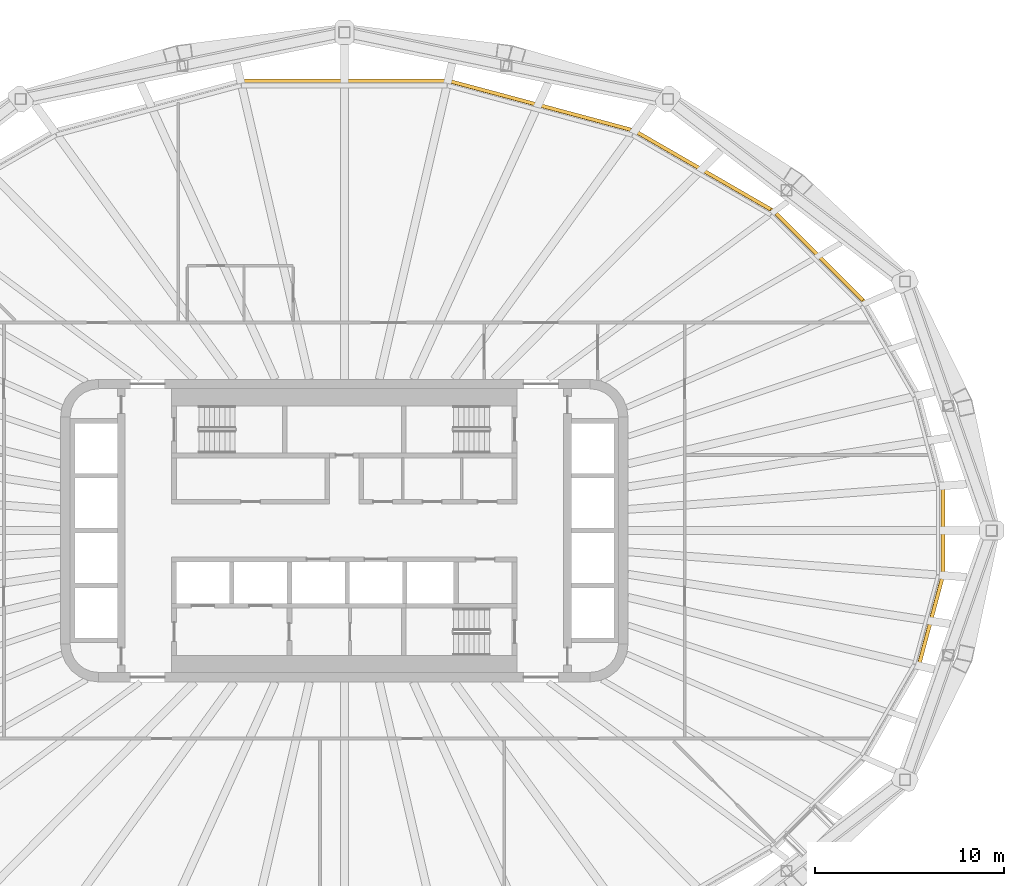
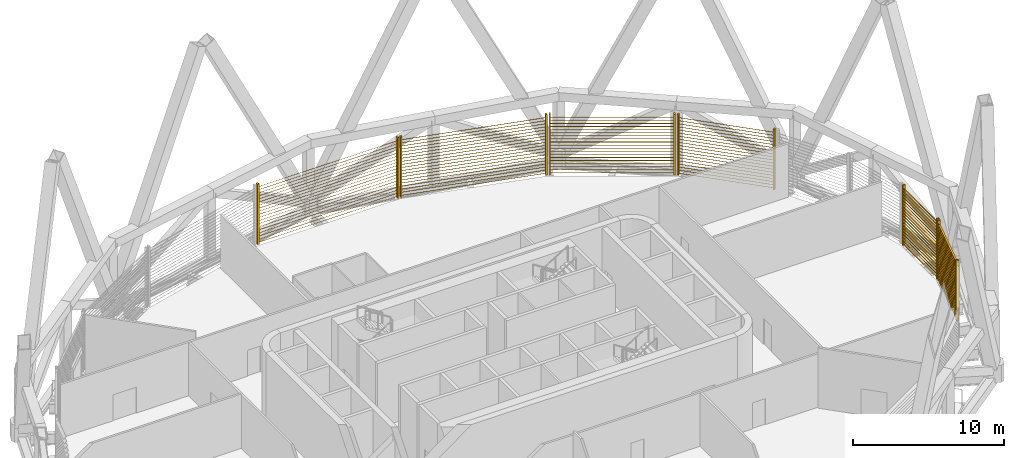
# One storey, part 17 of 18: 6 shading devices.
"""IFC4 building model written with IfcOpenShell, lengths in metres."""

from ifc_helpers import new_model, si_unit, direction, frame, origin, origin_2d, place, context, subcontext, project, spatial, rectangle, extrude, material, type_object, element, save


model = new_model("IFC4")

# Units and contexts
model_context = context("Model", 3, precision=1e-05, world=origin(), true_north=direction((0.0, 1.0)))
body_context = subcontext(model_context, "Body", "Model", "MODEL_VIEW")
ifc_project = project(units=[si_unit("LENGTHUNIT", "METRE"), si_unit("AREAUNIT", "SQUARE_METRE"), si_unit("VOLUMEUNIT", "CUBIC_METRE"), si_unit("PLANEANGLEUNIT", "RADIAN"), si_unit("MASSUNIT", "GRAM", prefix="KILO")], contexts=[model_context])

# Site, building, storey
site_placement = place(None, origin())
site = spatial("IfcSite", under=ifc_project, at=site_placement, CompositionType="ELEMENT")
building_placement = place(site_placement, origin())
building = spatial("IfcBuilding", under=site, at=building_placement, Name="Sahrelin Media Tower", CompositionType="ELEMENT")
storey_placement = place(building_placement, frame((0.0, 0.0, 148.199951171875)))
storey = spatial("IfcBuildingStorey", under=building, at=storey_placement, Name="L30", CompositionType="ELEMENT", Elevation=148.199951171875)

# Shading devices
ifc_material = material(Name="Champagne anodised aluminium 6063-T6", Category="aluminium")
shading_device_type = type_object("IfcShadingDeviceType", Name="Sand-rejection louvre band", PredefinedType="USERDEFINED", material=ifc_material)
shading_device_1_placement = place(storey_placement, frame((31.546630859375, 0.0, 0.0), z_axis=(0.0, 0.0, 1.0), x_axis=(0.0, -1.0, 0.0)))
element("IfcShadingDevice", 1, at=shading_device_1_placement, inside=storey, type_object=shading_device_type, Name="L30:LOUVRE:L30-00", ObjectType="LOUVRE", PredefinedType="USERDEFINED", context=body_context, shape_type="SweptSolid", body=[
    extrude(rectangle(XDim=0.1201171875, YDim=0.199951171875, at=origin_2d()), frame((2.248291015625, 0.10009765625, 0.050048828125), z_axis=(0.0, 0.0, 1.0), x_axis=(1.0, 0.0, 0.0)), (0.0, 0.0, 1.0), 4.8984375),
    extrude(rectangle(XDim=0.1201171875, YDim=0.199951171875, at=origin_2d()), frame((-2.248291015625, 0.10009765625, 0.050048828125), z_axis=(0.0, 0.0, 1.0), x_axis=(1.0, 0.0, 0.0)), (0.0, 0.0, 1.0), 4.8984375),
    extrude(rectangle(XDim=0.25, YDim=0.02001953125, at=origin_2d()), frame((2.188232421875, 0.10009765625, 0.14990234375), z_axis=(-1.0, 0.0, 0.0), x_axis=(0.0, -0.766044443119, 0.642787609687)), (0.0, 0.0, 1.0), 4.37646484375),
    extrude(rectangle(XDim=0.25, YDim=0.02001953125, at=origin_2d()), frame((2.188232421875, 0.10009765625, 0.39990234375), z_axis=(-1.0, 0.0, 0.0), x_axis=(0.0, -0.766044443119, 0.642787609687)), (0.0, 0.0, 1.0), 4.37646484375),
    extrude(rectangle(XDim=0.25, YDim=0.02001953125, at=origin_2d()), frame((2.188232421875, 0.10009765625, 0.64990234375), z_axis=(-1.0, 0.0, 0.0), x_axis=(0.0, -0.766044443119, 0.642787609687)), (0.0, 0.0, 1.0), 4.37646484375),
    extrude(rectangle(XDim=0.25, YDim=0.02001953125, at=origin_2d()), frame((2.188232421875, 0.10009765625, 0.89990234375), z_axis=(-1.0, 0.0, 0.0), x_axis=(0.0, -0.766044443119, 0.642787609687)), (0.0, 0.0, 1.0), 4.37646484375),
    extrude(rectangle(XDim=0.25, YDim=0.02001953125, at=origin_2d()), frame((2.188232421875, 0.10009765625, 1.14990234375), z_axis=(-1.0, 0.0, 0.0), x_axis=(0.0, -0.766044443119, 0.642787609687)), (0.0, 0.0, 1.0), 4.37646484375),
    extrude(rectangle(XDim=0.25, YDim=0.02001953125, at=origin_2d()), frame((2.188232421875, 0.10009765625, 1.39990234375), z_axis=(-1.0, 0.0, 0.0), x_axis=(0.0, -0.766044443119, 0.642787609687)), (0.0, 0.0, 1.0), 4.37646484375),
    extrude(rectangle(XDim=0.25, YDim=0.02001953125, at=origin_2d()), frame((2.188232421875, 0.10009765625, 1.64990234375), z_axis=(-1.0, 0.0, 0.0), x_axis=(0.0, -0.766044443119, 0.642787609687)), (0.0, 0.0, 1.0), 4.37646484375),
    extrude(rectangle(XDim=0.25, YDim=0.02001953125, at=origin_2d()), frame((2.188232421875, 0.10009765625, 1.89990234375), z_axis=(-1.0, 0.0, 0.0), x_axis=(0.0, -0.766044443119, 0.642787609687)), (0.0, 0.0, 1.0), 4.37646484375),
    extrude(rectangle(XDim=0.25, YDim=0.02001953125, at=origin_2d()), frame((2.188232421875, 0.10009765625, 2.14990234375), z_axis=(-1.0, 0.0, 0.0), x_axis=(0.0, -0.766044443119, 0.642787609687)), (0.0, 0.0, 1.0), 4.37646484375),
    extrude(rectangle(XDim=0.25, YDim=0.02001953125, at=origin_2d()), frame((2.188232421875, 0.10009765625, 2.39990234375), z_axis=(-1.0, 0.0, 0.0), x_axis=(0.0, -0.766044443119, 0.642787609687)), (0.0, 0.0, 1.0), 4.37646484375),
    extrude(rectangle(XDim=0.25, YDim=0.02001953125, at=origin_2d()), frame((2.188232421875, 0.10009765625, 2.64990234375), z_axis=(-1.0, 0.0, 0.0), x_axis=(0.0, -0.766044443119, 0.642787609687)), (0.0, 0.0, 1.0), 4.37646484375),
    extrude(rectangle(XDim=0.25, YDim=0.02001953125, at=origin_2d()), frame((2.188232421875, 0.10009765625, 2.89990234375), z_axis=(-1.0, 0.0, 0.0), x_axis=(0.0, -0.766044443119, 0.642787609687)), (0.0, 0.0, 1.0), 4.37646484375),
    extrude(rectangle(XDim=0.25, YDim=0.02001953125, at=origin_2d()), frame((2.188232421875, 0.10009765625, 3.14990234375), z_axis=(-1.0, 0.0, 0.0), x_axis=(0.0, -0.766044443119, 0.642787609687)), (0.0, 0.0, 1.0), 4.37646484375),
    extrude(rectangle(XDim=0.25, YDim=0.02001953125, at=origin_2d()), frame((2.188232421875, 0.10009765625, 3.39990234375), z_axis=(-1.0, 0.0, 0.0), x_axis=(0.0, -0.766044443119, 0.642787609687)), (0.0, 0.0, 1.0), 4.37646484375),
    extrude(rectangle(XDim=0.25, YDim=0.02001953125, at=origin_2d()), frame((2.188232421875, 0.10009765625, 3.64990234375), z_axis=(-1.0, 0.0, 0.0), x_axis=(0.0, -0.766044443119, 0.642787609687)), (0.0, 0.0, 1.0), 4.37646484375),
    extrude(rectangle(XDim=0.25, YDim=0.02001953125, at=origin_2d()), frame((2.188232421875, 0.10009765625, 3.89990234375), z_axis=(-1.0, 0.0, 0.0), x_axis=(0.0, -0.766044443119, 0.642787609687)), (0.0, 0.0, 1.0), 4.37646484375),
    extrude(rectangle(XDim=0.25, YDim=0.02001953125, at=origin_2d()), frame((2.188232421875, 0.10009765625, 4.14990234375), z_axis=(-1.0, 0.0, 0.0), x_axis=(0.0, -0.766044443119, 0.642787609687)), (0.0, 0.0, 1.0), 4.37646484375),
    extrude(rectangle(XDim=0.25, YDim=0.02001953125, at=origin_2d()), frame((2.188232421875, 0.10009765625, 4.39990234375), z_axis=(-1.0, 0.0, 0.0), x_axis=(0.0, -0.766044443119, 0.642787609687)), (0.0, 0.0, 1.0), 4.37646484375),
    extrude(rectangle(XDim=0.25, YDim=0.02001953125, at=origin_2d()), frame((2.188232421875, 0.10009765625, 4.64990234375), z_axis=(-1.0, 0.0, 0.0), x_axis=(0.0, -0.766044443119, 0.642787609687)), (0.0, 0.0, 1.0), 4.37646484375),
])
shading_device_2_placement = place(storey_placement, frame((25.05419921875, 14.392578125, 0.0), z_axis=(0.0, 0.0, 1.0), x_axis=(0.707106781187, -0.707106781187, 0.0)))
element("IfcShadingDevice", 2, at=shading_device_2_placement, inside=storey, type_object=shading_device_type, Name="L30:LOUVRE:L30-03", ObjectType="LOUVRE", PredefinedType="USERDEFINED", context=body_context, shape_type="SweptSolid", body=[
    extrude(rectangle(XDim=0.1201171875, YDim=0.199951171875, at=origin_2d()), frame((3.298095703125, 0.10009765625, 0.050048828125), z_axis=(0.0, 0.0, 1.0), x_axis=(1.0, 0.0, 0.0)), (0.0, 0.0, 1.0), 4.8984375),
    extrude(rectangle(XDim=0.1201171875, YDim=0.199951171875, at=origin_2d()), frame((-3.298095703125, 0.10009765625, 0.050048828125), z_axis=(0.0, 0.0, 1.0), x_axis=(1.0, 0.0, 0.0)), (0.0, 0.0, 1.0), 4.8984375),
    extrude(rectangle(XDim=0.25, YDim=0.02001953125, at=origin_2d()), frame((3.23828125, 0.10009765625, 0.14990234375), z_axis=(-1.0, 0.0, 0.0), x_axis=(0.0, -0.766044443119, 0.642787609687)), (0.0, 0.0, 1.0), 6.4765625),
    extrude(rectangle(XDim=0.25, YDim=0.02001953125, at=origin_2d()), frame((3.23828125, 0.10009765625, 0.39990234375), z_axis=(-1.0, 0.0, 0.0), x_axis=(0.0, -0.766044443119, 0.642787609687)), (0.0, 0.0, 1.0), 6.4765625),
    extrude(rectangle(XDim=0.25, YDim=0.02001953125, at=origin_2d()), frame((3.23828125, 0.10009765625, 0.64990234375), z_axis=(-1.0, 0.0, 0.0), x_axis=(0.0, -0.766044443119, 0.642787609687)), (0.0, 0.0, 1.0), 6.4765625),
    extrude(rectangle(XDim=0.25, YDim=0.02001953125, at=origin_2d()), frame((3.23828125, 0.10009765625, 0.89990234375), z_axis=(-1.0, 0.0, 0.0), x_axis=(0.0, -0.766044443119, 0.642787609687)), (0.0, 0.0, 1.0), 6.4765625),
    extrude(rectangle(XDim=0.25, YDim=0.02001953125, at=origin_2d()), frame((3.23828125, 0.10009765625, 1.14990234375), z_axis=(-1.0, 0.0, 0.0), x_axis=(0.0, -0.766044443119, 0.642787609687)), (0.0, 0.0, 1.0), 6.4765625),
    extrude(rectangle(XDim=0.25, YDim=0.02001953125, at=origin_2d()), frame((3.23828125, 0.10009765625, 1.39990234375), z_axis=(-1.0, 0.0, 0.0), x_axis=(0.0, -0.766044443119, 0.642787609687)), (0.0, 0.0, 1.0), 6.4765625),
    extrude(rectangle(XDim=0.25, YDim=0.02001953125, at=origin_2d()), frame((3.23828125, 0.10009765625, 1.64990234375), z_axis=(-1.0, 0.0, 0.0), x_axis=(0.0, -0.766044443119, 0.642787609687)), (0.0, 0.0, 1.0), 6.4765625),
    extrude(rectangle(XDim=0.25, YDim=0.02001953125, at=origin_2d()), frame((3.23828125, 0.10009765625, 1.89990234375), z_axis=(-1.0, 0.0, 0.0), x_axis=(0.0, -0.766044443119, 0.642787609687)), (0.0, 0.0, 1.0), 6.4765625),
    extrude(rectangle(XDim=0.25, YDim=0.02001953125, at=origin_2d()), frame((3.23828125, 0.10009765625, 2.14990234375), z_axis=(-1.0, 0.0, 0.0), x_axis=(0.0, -0.766044443119, 0.642787609687)), (0.0, 0.0, 1.0), 6.4765625),
    extrude(rectangle(XDim=0.25, YDim=0.02001953125, at=origin_2d()), frame((3.23828125, 0.10009765625, 2.39990234375), z_axis=(-1.0, 0.0, 0.0), x_axis=(0.0, -0.766044443119, 0.642787609687)), (0.0, 0.0, 1.0), 6.4765625),
    extrude(rectangle(XDim=0.25, YDim=0.02001953125, at=origin_2d()), frame((3.23828125, 0.10009765625, 2.64990234375), z_axis=(-1.0, 0.0, 0.0), x_axis=(0.0, -0.766044443119, 0.642787609687)), (0.0, 0.0, 1.0), 6.4765625),
    extrude(rectangle(XDim=0.25, YDim=0.02001953125, at=origin_2d()), frame((3.23828125, 0.10009765625, 2.89990234375), z_axis=(-1.0, 0.0, 0.0), x_axis=(0.0, -0.766044443119, 0.642787609687)), (0.0, 0.0, 1.0), 6.4765625),
    extrude(rectangle(XDim=0.25, YDim=0.02001953125, at=origin_2d()), frame((3.23828125, 0.10009765625, 3.14990234375), z_axis=(-1.0, 0.0, 0.0), x_axis=(0.0, -0.766044443119, 0.642787609687)), (0.0, 0.0, 1.0), 6.4765625),
    extrude(rectangle(XDim=0.25, YDim=0.02001953125, at=origin_2d()), frame((3.23828125, 0.10009765625, 3.39990234375), z_axis=(-1.0, 0.0, 0.0), x_axis=(0.0, -0.766044443119, 0.642787609687)), (0.0, 0.0, 1.0), 6.4765625),
    extrude(rectangle(XDim=0.25, YDim=0.02001953125, at=origin_2d()), frame((3.23828125, 0.10009765625, 3.64990234375), z_axis=(-1.0, 0.0, 0.0), x_axis=(0.0, -0.766044443119, 0.642787609687)), (0.0, 0.0, 1.0), 6.4765625),
    extrude(rectangle(XDim=0.25, YDim=0.02001953125, at=origin_2d()), frame((3.23828125, 0.10009765625, 3.89990234375), z_axis=(-1.0, 0.0, 0.0), x_axis=(0.0, -0.766044443119, 0.642787609687)), (0.0, 0.0, 1.0), 6.4765625),
    extrude(rectangle(XDim=0.25, YDim=0.02001953125, at=origin_2d()), frame((3.23828125, 0.10009765625, 4.14990234375), z_axis=(-1.0, 0.0, 0.0), x_axis=(0.0, -0.766044443119, 0.642787609687)), (0.0, 0.0, 1.0), 6.4765625),
    extrude(rectangle(XDim=0.25, YDim=0.02001953125, at=origin_2d()), frame((3.23828125, 0.10009765625, 4.39990234375), z_axis=(-1.0, 0.0, 0.0), x_axis=(0.0, -0.766044443119, 0.642787609687)), (0.0, 0.0, 1.0), 6.4765625),
    extrude(rectangle(XDim=0.25, YDim=0.02001953125, at=origin_2d()), frame((3.23828125, 0.10009765625, 4.64990234375), z_axis=(-1.0, 0.0, 0.0), x_axis=(0.0, -0.766044443119, 0.642787609687)), (0.0, 0.0, 1.0), 6.4765625),
])
shading_device_3_placement = place(storey_placement, frame((18.966552734375, 18.926025390625, 0.0), z_axis=(0.0, 0.0, 1.0), x_axis=(0.866019052629, -0.500011000363, 0.0)))
element("IfcShadingDevice", 3, at=shading_device_3_placement, inside=storey, type_object=shading_device_type, Name="L30:LOUVRE:L30-04", ObjectType="LOUVRE", PredefinedType="USERDEFINED", context=body_context, shape_type="SweptSolid", body=[
    extrude(rectangle(XDim=0.1201171875, YDim=0.199951171875, at=origin_2d()), frame((4.136474609375, 0.10009765625, 0.050048828125), z_axis=(0.0, 0.0, 1.0), x_axis=(1.0, 0.0, 0.0)), (0.0, 0.0, 1.0), 4.8984375),
    extrude(rectangle(XDim=0.1201171875, YDim=0.199951171875, at=origin_2d()), frame((-4.136474609375, 0.10009765625, 0.050048828125), z_axis=(0.0, 0.0, 1.0), x_axis=(1.0, 0.0, 0.0)), (0.0, 0.0, 1.0), 4.8984375),
    extrude(rectangle(XDim=0.25, YDim=0.02001953125, at=origin_2d()), frame((4.076416015625, 0.10009765625, 0.14990234375), z_axis=(-1.0, 0.0, 0.0), x_axis=(0.0, -0.766044443119, 0.642787609687)), (0.0, 0.0, 1.0), 8.15283203125),
    extrude(rectangle(XDim=0.25, YDim=0.02001953125, at=origin_2d()), frame((4.076416015625, 0.10009765625, 0.39990234375), z_axis=(-1.0, 0.0, 0.0), x_axis=(0.0, -0.766044443119, 0.642787609687)), (0.0, 0.0, 1.0), 8.15283203125),
    extrude(rectangle(XDim=0.25, YDim=0.02001953125, at=origin_2d()), frame((4.076416015625, 0.10009765625, 0.64990234375), z_axis=(-1.0, 0.0, 0.0), x_axis=(0.0, -0.766044443119, 0.642787609687)), (0.0, 0.0, 1.0), 8.15283203125),
    extrude(rectangle(XDim=0.25, YDim=0.02001953125, at=origin_2d()), frame((4.076416015625, 0.10009765625, 0.89990234375), z_axis=(-1.0, 0.0, 0.0), x_axis=(0.0, -0.766044443119, 0.642787609687)), (0.0, 0.0, 1.0), 8.15283203125),
    extrude(rectangle(XDim=0.25, YDim=0.02001953125, at=origin_2d()), frame((4.076416015625, 0.10009765625, 1.14990234375), z_axis=(-1.0, 0.0, 0.0), x_axis=(0.0, -0.766044443119, 0.642787609687)), (0.0, 0.0, 1.0), 8.15283203125),
    extrude(rectangle(XDim=0.25, YDim=0.02001953125, at=origin_2d()), frame((4.076416015625, 0.10009765625, 1.39990234375), z_axis=(-1.0, 0.0, 0.0), x_axis=(0.0, -0.766044443119, 0.642787609687)), (0.0, 0.0, 1.0), 8.15283203125),
    extrude(rectangle(XDim=0.25, YDim=0.02001953125, at=origin_2d()), frame((4.076416015625, 0.10009765625, 1.64990234375), z_axis=(-1.0, 0.0, 0.0), x_axis=(0.0, -0.766044443119, 0.642787609687)), (0.0, 0.0, 1.0), 8.15283203125),
    extrude(rectangle(XDim=0.25, YDim=0.02001953125, at=origin_2d()), frame((4.076416015625, 0.10009765625, 1.89990234375), z_axis=(-1.0, 0.0, 0.0), x_axis=(0.0, -0.766044443119, 0.642787609687)), (0.0, 0.0, 1.0), 8.15283203125),
    extrude(rectangle(XDim=0.25, YDim=0.02001953125, at=origin_2d()), frame((4.076416015625, 0.10009765625, 2.14990234375), z_axis=(-1.0, 0.0, 0.0), x_axis=(0.0, -0.766044443119, 0.642787609687)), (0.0, 0.0, 1.0), 8.15283203125),
    extrude(rectangle(XDim=0.25, YDim=0.02001953125, at=origin_2d()), frame((4.076416015625, 0.10009765625, 2.39990234375), z_axis=(-1.0, 0.0, 0.0), x_axis=(0.0, -0.766044443119, 0.642787609687)), (0.0, 0.0, 1.0), 8.15283203125),
    extrude(rectangle(XDim=0.25, YDim=0.02001953125, at=origin_2d()), frame((4.076416015625, 0.10009765625, 2.64990234375), z_axis=(-1.0, 0.0, 0.0), x_axis=(0.0, -0.766044443119, 0.642787609687)), (0.0, 0.0, 1.0), 8.15283203125),
    extrude(rectangle(XDim=0.25, YDim=0.02001953125, at=origin_2d()), frame((4.076416015625, 0.10009765625, 2.89990234375), z_axis=(-1.0, 0.0, 0.0), x_axis=(0.0, -0.766044443119, 0.642787609687)), (0.0, 0.0, 1.0), 8.15283203125),
    extrude(rectangle(XDim=0.25, YDim=0.02001953125, at=origin_2d()), frame((4.076416015625, 0.10009765625, 3.14990234375), z_axis=(-1.0, 0.0, 0.0), x_axis=(0.0, -0.766044443119, 0.642787609687)), (0.0, 0.0, 1.0), 8.15283203125),
    extrude(rectangle(XDim=0.25, YDim=0.02001953125, at=origin_2d()), frame((4.076416015625, 0.10009765625, 3.39990234375), z_axis=(-1.0, 0.0, 0.0), x_axis=(0.0, -0.766044443119, 0.642787609687)), (0.0, 0.0, 1.0), 8.15283203125),
    extrude(rectangle(XDim=0.25, YDim=0.02001953125, at=origin_2d()), frame((4.076416015625, 0.10009765625, 3.64990234375), z_axis=(-1.0, 0.0, 0.0), x_axis=(0.0, -0.766044443119, 0.642787609687)), (0.0, 0.0, 1.0), 8.15283203125),
    extrude(rectangle(XDim=0.25, YDim=0.02001953125, at=origin_2d()), frame((4.076416015625, 0.10009765625, 3.89990234375), z_axis=(-1.0, 0.0, 0.0), x_axis=(0.0, -0.766044443119, 0.642787609687)), (0.0, 0.0, 1.0), 8.15283203125),
    extrude(rectangle(XDim=0.25, YDim=0.02001953125, at=origin_2d()), frame((4.076416015625, 0.10009765625, 4.14990234375), z_axis=(-1.0, 0.0, 0.0), x_axis=(0.0, -0.766044443119, 0.642787609687)), (0.0, 0.0, 1.0), 8.15283203125),
    extrude(rectangle(XDim=0.25, YDim=0.02001953125, at=origin_2d()), frame((4.076416015625, 0.10009765625, 4.39990234375), z_axis=(-1.0, 0.0, 0.0), x_axis=(0.0, -0.766044443119, 0.642787609687)), (0.0, 0.0, 1.0), 8.15283203125),
    extrude(rectangle(XDim=0.25, YDim=0.02001953125, at=origin_2d()), frame((4.076416015625, 0.10009765625, 4.64990234375), z_axis=(-1.0, 0.0, 0.0), x_axis=(0.0, -0.766044443119, 0.642787609687)), (0.0, 0.0, 1.0), 8.15283203125),
])
shading_device_4_placement = place(storey_placement, frame((10.375, 22.365966796875, 0.0), z_axis=(0.0, 0.0, 1.0), x_axis=(0.965928857556, -0.258807731996, 0.0)))
element("IfcShadingDevice", 4, at=shading_device_4_placement, inside=storey, type_object=shading_device_type, Name="L30:LOUVRE:L30-05", ObjectType="LOUVRE", PredefinedType="USERDEFINED", context=body_context, shape_type="SweptSolid", body=[
    extrude(rectangle(XDim=0.1201171875, YDim=0.199951171875, at=origin_2d()), frame((4.977294921875, 0.10009765625, 0.050048828125), z_axis=(0.0, 0.0, 1.0), x_axis=(1.0, 0.0, 0.0)), (0.0, 0.0, 1.0), 4.8984375),
    extrude(rectangle(XDim=0.1201171875, YDim=0.199951171875, at=origin_2d()), frame((-4.977294921875, 0.10009765625, 0.050048828125), z_axis=(0.0, 0.0, 1.0), x_axis=(1.0, 0.0, 0.0)), (0.0, 0.0, 1.0), 4.8984375),
    extrude(rectangle(XDim=0.25, YDim=0.02001953125, at=origin_2d()), frame((4.917236328125, 0.10009765625, 0.14990234375), z_axis=(-1.0, 0.0, 0.0), x_axis=(0.0, -0.766044443119, 0.642787609687)), (0.0, 0.0, 1.0), 9.83447265625),
    extrude(rectangle(XDim=0.25, YDim=0.02001953125, at=origin_2d()), frame((4.917236328125, 0.10009765625, 0.39990234375), z_axis=(-1.0, 0.0, 0.0), x_axis=(0.0, -0.766044443119, 0.642787609687)), (0.0, 0.0, 1.0), 9.83447265625),
    extrude(rectangle(XDim=0.25, YDim=0.02001953125, at=origin_2d()), frame((4.917236328125, 0.10009765625, 0.64990234375), z_axis=(-1.0, 0.0, 0.0), x_axis=(0.0, -0.766044443119, 0.642787609687)), (0.0, 0.0, 1.0), 9.83447265625),
    extrude(rectangle(XDim=0.25, YDim=0.02001953125, at=origin_2d()), frame((4.917236328125, 0.10009765625, 0.89990234375), z_axis=(-1.0, 0.0, 0.0), x_axis=(0.0, -0.766044443119, 0.642787609687)), (0.0, 0.0, 1.0), 9.83447265625),
    extrude(rectangle(XDim=0.25, YDim=0.02001953125, at=origin_2d()), frame((4.917236328125, 0.10009765625, 1.14990234375), z_axis=(-1.0, 0.0, 0.0), x_axis=(0.0, -0.766044443119, 0.642787609687)), (0.0, 0.0, 1.0), 9.83447265625),
    extrude(rectangle(XDim=0.25, YDim=0.02001953125, at=origin_2d()), frame((4.917236328125, 0.10009765625, 1.39990234375), z_axis=(-1.0, 0.0, 0.0), x_axis=(0.0, -0.766044443119, 0.642787609687)), (0.0, 0.0, 1.0), 9.83447265625),
    extrude(rectangle(XDim=0.25, YDim=0.02001953125, at=origin_2d()), frame((4.917236328125, 0.10009765625, 1.64990234375), z_axis=(-1.0, 0.0, 0.0), x_axis=(0.0, -0.766044443119, 0.642787609687)), (0.0, 0.0, 1.0), 9.83447265625),
    extrude(rectangle(XDim=0.25, YDim=0.02001953125, at=origin_2d()), frame((4.917236328125, 0.10009765625, 1.89990234375), z_axis=(-1.0, 0.0, 0.0), x_axis=(0.0, -0.766044443119, 0.642787609687)), (0.0, 0.0, 1.0), 9.83447265625),
    extrude(rectangle(XDim=0.25, YDim=0.02001953125, at=origin_2d()), frame((4.917236328125, 0.10009765625, 2.14990234375), z_axis=(-1.0, 0.0, 0.0), x_axis=(0.0, -0.766044443119, 0.642787609687)), (0.0, 0.0, 1.0), 9.83447265625),
    extrude(rectangle(XDim=0.25, YDim=0.02001953125, at=origin_2d()), frame((4.917236328125, 0.10009765625, 2.39990234375), z_axis=(-1.0, 0.0, 0.0), x_axis=(0.0, -0.766044443119, 0.642787609687)), (0.0, 0.0, 1.0), 9.83447265625),
    extrude(rectangle(XDim=0.25, YDim=0.02001953125, at=origin_2d()), frame((4.917236328125, 0.10009765625, 2.64990234375), z_axis=(-1.0, 0.0, 0.0), x_axis=(0.0, -0.766044443119, 0.642787609687)), (0.0, 0.0, 1.0), 9.83447265625),
    extrude(rectangle(XDim=0.25, YDim=0.02001953125, at=origin_2d()), frame((4.917236328125, 0.10009765625, 2.89990234375), z_axis=(-1.0, 0.0, 0.0), x_axis=(0.0, -0.766044443119, 0.642787609687)), (0.0, 0.0, 1.0), 9.83447265625),
    extrude(rectangle(XDim=0.25, YDim=0.02001953125, at=origin_2d()), frame((4.917236328125, 0.10009765625, 3.14990234375), z_axis=(-1.0, 0.0, 0.0), x_axis=(0.0, -0.766044443119, 0.642787609687)), (0.0, 0.0, 1.0), 9.83447265625),
    extrude(rectangle(XDim=0.25, YDim=0.02001953125, at=origin_2d()), frame((4.917236328125, 0.10009765625, 3.39990234375), z_axis=(-1.0, 0.0, 0.0), x_axis=(0.0, -0.766044443119, 0.642787609687)), (0.0, 0.0, 1.0), 9.83447265625),
    extrude(rectangle(XDim=0.25, YDim=0.02001953125, at=origin_2d()), frame((4.917236328125, 0.10009765625, 3.64990234375), z_axis=(-1.0, 0.0, 0.0), x_axis=(0.0, -0.766044443119, 0.642787609687)), (0.0, 0.0, 1.0), 9.83447265625),
    extrude(rectangle(XDim=0.25, YDim=0.02001953125, at=origin_2d()), frame((4.917236328125, 0.10009765625, 3.89990234375), z_axis=(-1.0, 0.0, 0.0), x_axis=(0.0, -0.766044443119, 0.642787609687)), (0.0, 0.0, 1.0), 9.83447265625),
    extrude(rectangle(XDim=0.25, YDim=0.02001953125, at=origin_2d()), frame((4.917236328125, 0.10009765625, 4.14990234375), z_axis=(-1.0, 0.0, 0.0), x_axis=(0.0, -0.766044443119, 0.642787609687)), (0.0, 0.0, 1.0), 9.83447265625),
    extrude(rectangle(XDim=0.25, YDim=0.02001953125, at=origin_2d()), frame((4.917236328125, 0.10009765625, 4.39990234375), z_axis=(-1.0, 0.0, 0.0), x_axis=(0.0, -0.766044443119, 0.642787609687)), (0.0, 0.0, 1.0), 9.83447265625),
    extrude(rectangle(XDim=0.25, YDim=0.02001953125, at=origin_2d()), frame((4.917236328125, 0.10009765625, 4.64990234375), z_axis=(-1.0, 0.0, 0.0), x_axis=(0.0, -0.766044443119, 0.642787609687)), (0.0, 0.0, 1.0), 9.83447265625),
])
shading_device_5_placement = place(storey_placement, frame((0.0, 23.6826171875, 0.0), z_axis=(0.0, 0.0, 1.0), x_axis=(1.0, 0.0, 0.0)))
element("IfcShadingDevice", 5, at=shading_device_5_placement, inside=storey, type_object=shading_device_type, Name="L30:LOUVRE:L30-06", ObjectType="LOUVRE", PredefinedType="USERDEFINED", context=body_context, shape_type="SweptSolid", body=[
    extrude(rectangle(XDim=0.1201171875, YDim=0.199951171875, at=origin_2d()), frame((5.351318359375, 0.10009765625, 0.050048828125), z_axis=(0.0, 0.0, 1.0), x_axis=(1.0, 0.0, 0.0)), (0.0, 0.0, 1.0), 4.8984375),
    extrude(rectangle(XDim=0.1201171875, YDim=0.199951171875, at=origin_2d()), frame((-5.351318359375, 0.10009765625, 0.050048828125), z_axis=(0.0, 0.0, 1.0), x_axis=(1.0, 0.0, 0.0)), (0.0, 0.0, 1.0), 4.8984375),
    extrude(rectangle(XDim=0.25, YDim=0.02001953125, at=origin_2d()), frame((5.291259765625, 0.10009765625, 0.14990234375), z_axis=(-1.0, 0.0, 0.0), x_axis=(0.0, -0.766044443119, 0.642787609687)), (0.0, 0.0, 1.0), 10.58251953125),
    extrude(rectangle(XDim=0.25, YDim=0.02001953125, at=origin_2d()), frame((5.291259765625, 0.10009765625, 0.39990234375), z_axis=(-1.0, 0.0, 0.0), x_axis=(0.0, -0.766044443119, 0.642787609687)), (0.0, 0.0, 1.0), 10.58251953125),
    extrude(rectangle(XDim=0.25, YDim=0.02001953125, at=origin_2d()), frame((5.291259765625, 0.10009765625, 0.64990234375), z_axis=(-1.0, 0.0, 0.0), x_axis=(0.0, -0.766044443119, 0.642787609687)), (0.0, 0.0, 1.0), 10.58251953125),
    extrude(rectangle(XDim=0.25, YDim=0.02001953125, at=origin_2d()), frame((5.291259765625, 0.10009765625, 0.89990234375), z_axis=(-1.0, 0.0, 0.0), x_axis=(0.0, -0.766044443119, 0.642787609687)), (0.0, 0.0, 1.0), 10.58251953125),
    extrude(rectangle(XDim=0.25, YDim=0.02001953125, at=origin_2d()), frame((5.291259765625, 0.10009765625, 1.14990234375), z_axis=(-1.0, 0.0, 0.0), x_axis=(0.0, -0.766044443119, 0.642787609687)), (0.0, 0.0, 1.0), 10.58251953125),
    extrude(rectangle(XDim=0.25, YDim=0.02001953125, at=origin_2d()), frame((5.291259765625, 0.10009765625, 1.39990234375), z_axis=(-1.0, 0.0, 0.0), x_axis=(0.0, -0.766044443119, 0.642787609687)), (0.0, 0.0, 1.0), 10.58251953125),
    extrude(rectangle(XDim=0.25, YDim=0.02001953125, at=origin_2d()), frame((5.291259765625, 0.10009765625, 1.64990234375), z_axis=(-1.0, 0.0, 0.0), x_axis=(0.0, -0.766044443119, 0.642787609687)), (0.0, 0.0, 1.0), 10.58251953125),
    extrude(rectangle(XDim=0.25, YDim=0.02001953125, at=origin_2d()), frame((5.291259765625, 0.10009765625, 1.89990234375), z_axis=(-1.0, 0.0, 0.0), x_axis=(0.0, -0.766044443119, 0.642787609687)), (0.0, 0.0, 1.0), 10.58251953125),
    extrude(rectangle(XDim=0.25, YDim=0.02001953125, at=origin_2d()), frame((5.291259765625, 0.10009765625, 2.14990234375), z_axis=(-1.0, 0.0, 0.0), x_axis=(0.0, -0.766044443119, 0.642787609687)), (0.0, 0.0, 1.0), 10.58251953125),
    extrude(rectangle(XDim=0.25, YDim=0.02001953125, at=origin_2d()), frame((5.291259765625, 0.10009765625, 2.39990234375), z_axis=(-1.0, 0.0, 0.0), x_axis=(0.0, -0.766044443119, 0.642787609687)), (0.0, 0.0, 1.0), 10.58251953125),
    extrude(rectangle(XDim=0.25, YDim=0.02001953125, at=origin_2d()), frame((5.291259765625, 0.10009765625, 2.64990234375), z_axis=(-1.0, 0.0, 0.0), x_axis=(0.0, -0.766044443119, 0.642787609687)), (0.0, 0.0, 1.0), 10.58251953125),
    extrude(rectangle(XDim=0.25, YDim=0.02001953125, at=origin_2d()), frame((5.291259765625, 0.10009765625, 2.89990234375), z_axis=(-1.0, 0.0, 0.0), x_axis=(0.0, -0.766044443119, 0.642787609687)), (0.0, 0.0, 1.0), 10.58251953125),
    extrude(rectangle(XDim=0.25, YDim=0.02001953125, at=origin_2d()), frame((5.291259765625, 0.10009765625, 3.14990234375), z_axis=(-1.0, 0.0, 0.0), x_axis=(0.0, -0.766044443119, 0.642787609687)), (0.0, 0.0, 1.0), 10.58251953125),
    extrude(rectangle(XDim=0.25, YDim=0.02001953125, at=origin_2d()), frame((5.291259765625, 0.10009765625, 3.39990234375), z_axis=(-1.0, 0.0, 0.0), x_axis=(0.0, -0.766044443119, 0.642787609687)), (0.0, 0.0, 1.0), 10.58251953125),
    extrude(rectangle(XDim=0.25, YDim=0.02001953125, at=origin_2d()), frame((5.291259765625, 0.10009765625, 3.64990234375), z_axis=(-1.0, 0.0, 0.0), x_axis=(0.0, -0.766044443119, 0.642787609687)), (0.0, 0.0, 1.0), 10.58251953125),
    extrude(rectangle(XDim=0.25, YDim=0.02001953125, at=origin_2d()), frame((5.291259765625, 0.10009765625, 3.89990234375), z_axis=(-1.0, 0.0, 0.0), x_axis=(0.0, -0.766044443119, 0.642787609687)), (0.0, 0.0, 1.0), 10.58251953125),
    extrude(rectangle(XDim=0.25, YDim=0.02001953125, at=origin_2d()), frame((5.291259765625, 0.10009765625, 4.14990234375), z_axis=(-1.0, 0.0, 0.0), x_axis=(0.0, -0.766044443119, 0.642787609687)), (0.0, 0.0, 1.0), 10.58251953125),
    extrude(rectangle(XDim=0.25, YDim=0.02001953125, at=origin_2d()), frame((5.291259765625, 0.10009765625, 4.39990234375), z_axis=(-1.0, 0.0, 0.0), x_axis=(0.0, -0.766044443119, 0.642787609687)), (0.0, 0.0, 1.0), 10.58251953125),
    extrude(rectangle(XDim=0.25, YDim=0.02001953125, at=origin_2d()), frame((5.291259765625, 0.10009765625, 4.64990234375), z_axis=(-1.0, 0.0, 0.0), x_axis=(0.0, -0.766044443119, 0.642787609687)), (0.0, 0.0, 1.0), 10.58251953125),
])
shading_device_6_placement = place(storey_placement, frame((30.908203125, -4.740478515625, 0.0), z_axis=(0.0, 0.0, 1.0), x_axis=(-0.258807731996, -0.965928857556, 0.0)))
element("IfcShadingDevice", 6, at=shading_device_6_placement, inside=storey, type_object=shading_device_type, Name="L30:LOUVRE:L30-23", ObjectType="LOUVRE", PredefinedType="USERDEFINED", context=body_context, shape_type="SweptSolid", body=[
    extrude(rectangle(XDim=0.1201171875, YDim=0.199951171875, at=origin_2d()), frame((2.356201171875, 0.10009765625, 0.050048828125), z_axis=(0.0, 0.0, 1.0), x_axis=(1.0, 0.0, 0.0)), (0.0, 0.0, 1.0), 4.8984375),
    extrude(rectangle(XDim=0.1201171875, YDim=0.199951171875, at=origin_2d()), frame((-2.356201171875, 0.10009765625, 0.050048828125), z_axis=(0.0, 0.0, 1.0), x_axis=(1.0, 0.0, 0.0)), (0.0, 0.0, 1.0), 4.8984375),
    extrude(rectangle(XDim=0.25, YDim=0.02001953125, at=origin_2d()), frame((2.29638671875, 0.10009765625, 0.14990234375), z_axis=(-1.0, 0.0, 0.0), x_axis=(0.0, -0.766044443119, 0.642787609687)), (0.0, 0.0, 1.0), 4.5927734375),
    extrude(rectangle(XDim=0.25, YDim=0.02001953125, at=origin_2d()), frame((2.29638671875, 0.10009765625, 0.39990234375), z_axis=(-1.0, 0.0, 0.0), x_axis=(0.0, -0.766044443119, 0.642787609687)), (0.0, 0.0, 1.0), 4.5927734375),
    extrude(rectangle(XDim=0.25, YDim=0.02001953125, at=origin_2d()), frame((2.29638671875, 0.10009765625, 0.64990234375), z_axis=(-1.0, 0.0, 0.0), x_axis=(0.0, -0.766044443119, 0.642787609687)), (0.0, 0.0, 1.0), 4.5927734375),
    extrude(rectangle(XDim=0.25, YDim=0.02001953125, at=origin_2d()), frame((2.29638671875, 0.10009765625, 0.89990234375), z_axis=(-1.0, 0.0, 0.0), x_axis=(0.0, -0.766044443119, 0.642787609687)), (0.0, 0.0, 1.0), 4.5927734375),
    extrude(rectangle(XDim=0.25, YDim=0.02001953125, at=origin_2d()), frame((2.29638671875, 0.10009765625, 1.14990234375), z_axis=(-1.0, 0.0, 0.0), x_axis=(0.0, -0.766044443119, 0.642787609687)), (0.0, 0.0, 1.0), 4.5927734375),
    extrude(rectangle(XDim=0.25, YDim=0.02001953125, at=origin_2d()), frame((2.29638671875, 0.10009765625, 1.39990234375), z_axis=(-1.0, 0.0, 0.0), x_axis=(0.0, -0.766044443119, 0.642787609687)), (0.0, 0.0, 1.0), 4.5927734375),
    extrude(rectangle(XDim=0.25, YDim=0.02001953125, at=origin_2d()), frame((2.29638671875, 0.10009765625, 1.64990234375), z_axis=(-1.0, 0.0, 0.0), x_axis=(0.0, -0.766044443119, 0.642787609687)), (0.0, 0.0, 1.0), 4.5927734375),
    extrude(rectangle(XDim=0.25, YDim=0.02001953125, at=origin_2d()), frame((2.29638671875, 0.10009765625, 1.89990234375), z_axis=(-1.0, 0.0, 0.0), x_axis=(0.0, -0.766044443119, 0.642787609687)), (0.0, 0.0, 1.0), 4.5927734375),
    extrude(rectangle(XDim=0.25, YDim=0.02001953125, at=origin_2d()), frame((2.29638671875, 0.10009765625, 2.14990234375), z_axis=(-1.0, 0.0, 0.0), x_axis=(0.0, -0.766044443119, 0.642787609687)), (0.0, 0.0, 1.0), 4.5927734375),
    extrude(rectangle(XDim=0.25, YDim=0.02001953125, at=origin_2d()), frame((2.29638671875, 0.10009765625, 2.39990234375), z_axis=(-1.0, 0.0, 0.0), x_axis=(0.0, -0.766044443119, 0.642787609687)), (0.0, 0.0, 1.0), 4.5927734375),
    extrude(rectangle(XDim=0.25, YDim=0.02001953125, at=origin_2d()), frame((2.29638671875, 0.10009765625, 2.64990234375), z_axis=(-1.0, 0.0, 0.0), x_axis=(0.0, -0.766044443119, 0.642787609687)), (0.0, 0.0, 1.0), 4.5927734375),
    extrude(rectangle(XDim=0.25, YDim=0.02001953125, at=origin_2d()), frame((2.29638671875, 0.10009765625, 2.89990234375), z_axis=(-1.0, 0.0, 0.0), x_axis=(0.0, -0.766044443119, 0.642787609687)), (0.0, 0.0, 1.0), 4.5927734375),
    extrude(rectangle(XDim=0.25, YDim=0.02001953125, at=origin_2d()), frame((2.29638671875, 0.10009765625, 3.14990234375), z_axis=(-1.0, 0.0, 0.0), x_axis=(0.0, -0.766044443119, 0.642787609687)), (0.0, 0.0, 1.0), 4.5927734375),
    extrude(rectangle(XDim=0.25, YDim=0.02001953125, at=origin_2d()), frame((2.29638671875, 0.10009765625, 3.39990234375), z_axis=(-1.0, 0.0, 0.0), x_axis=(0.0, -0.766044443119, 0.642787609687)), (0.0, 0.0, 1.0), 4.5927734375),
    extrude(rectangle(XDim=0.25, YDim=0.02001953125, at=origin_2d()), frame((2.29638671875, 0.10009765625, 3.64990234375), z_axis=(-1.0, 0.0, 0.0), x_axis=(0.0, -0.766044443119, 0.642787609687)), (0.0, 0.0, 1.0), 4.5927734375),
    extrude(rectangle(XDim=0.25, YDim=0.02001953125, at=origin_2d()), frame((2.29638671875, 0.10009765625, 3.89990234375), z_axis=(-1.0, 0.0, 0.0), x_axis=(0.0, -0.766044443119, 0.642787609687)), (0.0, 0.0, 1.0), 4.5927734375),
    extrude(rectangle(XDim=0.25, YDim=0.02001953125, at=origin_2d()), frame((2.29638671875, 0.10009765625, 4.14990234375), z_axis=(-1.0, 0.0, 0.0), x_axis=(0.0, -0.766044443119, 0.642787609687)), (0.0, 0.0, 1.0), 4.5927734375),
    extrude(rectangle(XDim=0.25, YDim=0.02001953125, at=origin_2d()), frame((2.29638671875, 0.10009765625, 4.39990234375), z_axis=(-1.0, 0.0, 0.0), x_axis=(0.0, -0.766044443119, 0.642787609687)), (0.0, 0.0, 1.0), 4.5927734375),
    extrude(rectangle(XDim=0.25, YDim=0.02001953125, at=origin_2d()), frame((2.29638671875, 0.10009765625, 4.64990234375), z_axis=(-1.0, 0.0, 0.0), x_axis=(0.0, -0.766044443119, 0.642787609687)), (0.0, 0.0, 1.0), 4.5927734375),
])

save(model, "model.ifc")
